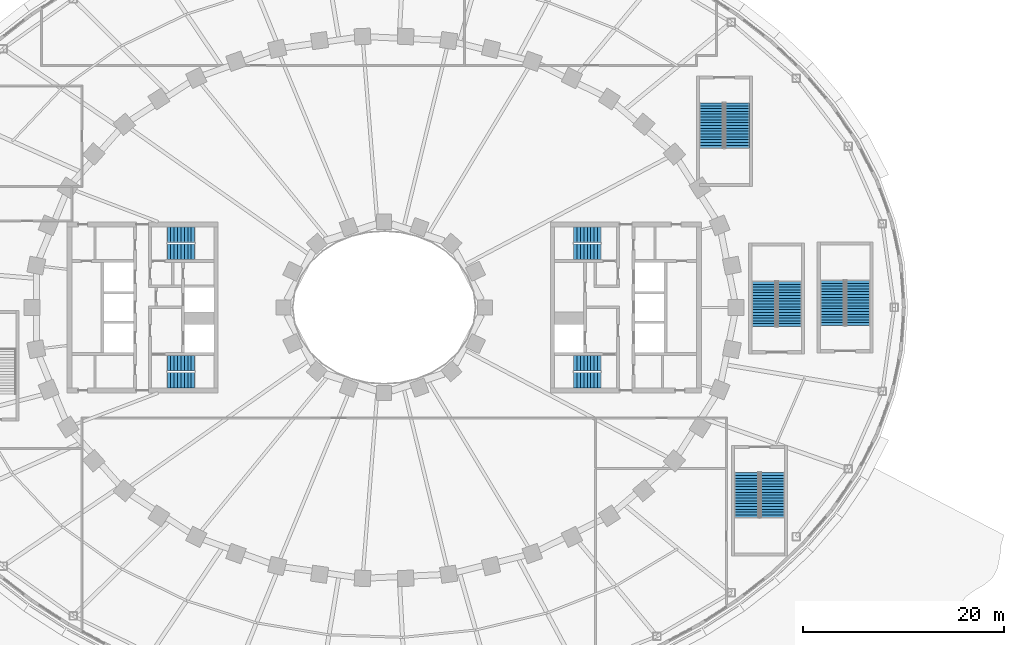
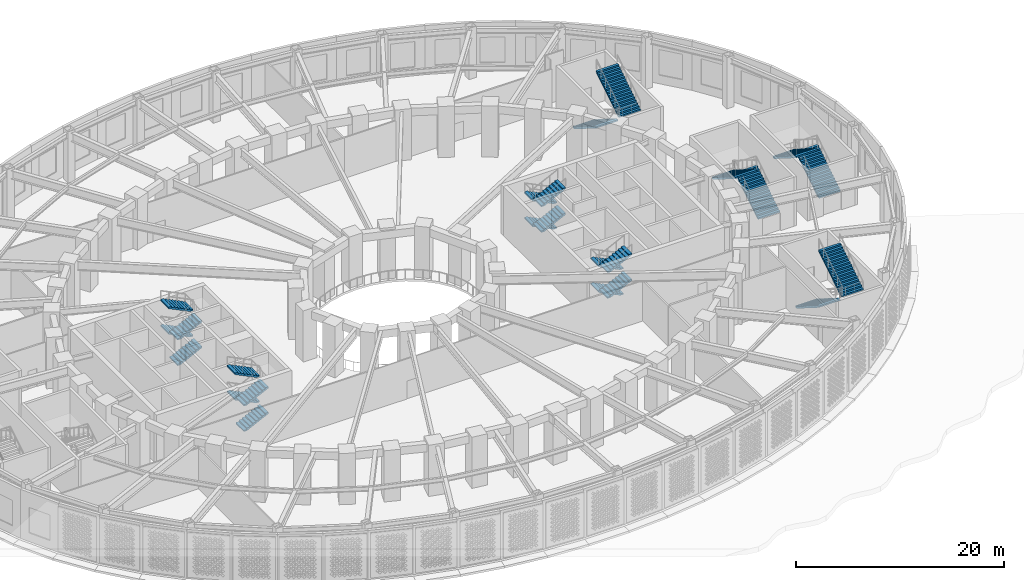
# One storey, part 28 of 74: 24 stair flights, 8 elements without a shape of their own.
"""IFC4 building model written with IfcOpenShell, lengths in metres."""

import ifcopenshell
import ifcopenshell.guid

model = None  # the IFC model being written
_history = None  # IfcOwnerHistory: only IFC2X3 demands one
_inside = {}  # id of a spatial element -> (the spatial element, [elements in it])
_under = {}  # id of a project, library or spatial element -> (it, [spatial elements below it])
_declared = {}  # id of a project -> (the project, [libraries it declares])
_typed = {}  # id of a type object -> (the type object, [elements of that type])
_made_of = {}  # id of a material, layer set ... -> (it, [elements and type objects made of it])


def new_model(schema):
    """Start an empty IFC model of exactly this schema.

    Asked for "IFC4X3", IfcOpenShell would pick the latest addendum, in which some entities
    have other attributes; the version numbers below select the first issue.
    IFC2X3 requires an IfcOwnerHistory on every rooted entity: one is made here for all.
    """
    global model, _history
    if schema == "IFC4X3":
        model = ifcopenshell.file(schema_version=(4, 3, 0, 0))
    else:
        model = ifcopenshell.file(schema=schema)
    _inside.clear()
    _under.clear()
    _declared.clear()
    _typed.clear()
    _made_of.clear()
    _history = None
    if model.schema == "IFC2X3":
        org = make("IfcOrganization", Name="unknown")
        user = make(
            "IfcPersonAndOrganization",
            ThePerson=make("IfcPerson", FamilyName="unknown"),
            TheOrganization=org,
        )
        app = make(
            "IfcApplication",
            ApplicationDeveloper=org,
            Version="unknown",
            ApplicationFullName="unknown",
            ApplicationIdentifier="unknown",
        )
        _history = make(
            "IfcOwnerHistory",
            OwningUser=user,
            OwningApplication=app,
            ChangeAction="ADDED",
            CreationDate=0,
        )
    return model


def make(cls, **values):
    """One entity of the class cls with the attributes given. An attribute that is None is left unset."""
    return model.create_entity(
        cls, **{name: value for name, value in values.items() if value is not None}
    )


def rooted(cls, **values):
    """An entity with a GlobalId (a new one), such as an element, a storey or a relation."""
    return make(cls, GlobalId=ifcopenshell.guid.new(), OwnerHistory=_history, **values)


def si_unit(unit_type, name, prefix=None):
    """IfcSIUnit, for example si_unit("LENGTHUNIT", "METRE", prefix="MILLI")."""
    return make("IfcSIUnit", UnitType=unit_type, Prefix=prefix, Name=name)


def assignment(units):
    """IfcUnitAssignment: the units of a project."""
    return None if units is None else make("IfcUnitAssignment", Units=units)


def point(xyz):
    """IfcCartesianPoint."""
    return None if xyz is None else make("IfcCartesianPoint", Coordinates=xyz)


def direction(xyz):
    """IfcDirection."""
    return None if xyz is None else make("IfcDirection", DirectionRatios=xyz)


def frame(location, z_axis=None, x_axis=None):
    """IfcAxis2Placement3D, a coordinate frame: its origin and axes. An axis left out is left unset."""
    return make(
        "IfcAxis2Placement3D",
        Location=point(location),
        Axis=direction(z_axis),
        RefDirection=direction(x_axis),
    )


def origin():
    """The frame at (0, 0, 0) with its axes left unset."""
    return frame((0.0, 0.0, 0.0))


def place(relative_to, where):
    """IfcLocalPlacement: puts the frame where relative to a parent placement (None: the world)."""
    return make(
        "IfcLocalPlacement", PlacementRelTo=relative_to, RelativePlacement=where
    )


def context(
    kind, dimensions, precision=None, world=None, true_north=None, identifier=None
):
    """IfcGeometricRepresentationContext, for example the 3D "Model" context."""
    return make(
        "IfcGeometricRepresentationContext",
        ContextIdentifier=identifier,
        ContextType=kind,
        CoordinateSpaceDimension=dimensions,
        Precision=precision,
        WorldCoordinateSystem=world,
        TrueNorth=true_north,
    )


def subcontext(parent, identifier, kind, view, scale=None):
    """IfcGeometricRepresentationSubContext, for example "Body" below "Model"."""
    return make(
        "IfcGeometricRepresentationSubContext",
        ContextIdentifier=identifier,
        ContextType=kind,
        ParentContext=parent,
        TargetScale=scale,
        TargetView=view,
    )


def project(units=None, contexts=None):
    """IfcProject with its units and contexts."""
    return rooted(
        "IfcProject",
        Name="project",
        RepresentationContexts=contexts,
        UnitsInContext=assignment(units),
    )


def spatial(cls, under=None, at=None, **own):
    """A site, building, storey or space (cls), placed at a placement, below another one or the project."""
    s = rooted(cls, ObjectPlacement=at, **own)
    if under is not None:
        _under.setdefault(under.id(), (under, []))[1].append(s)
    return s


def polyline(points):
    """IfcPolyline through the points."""
    return make("IfcPolyline", Points=[point(p) for p in points])


def outline(outer, holes=None, kind="AREA"):
    """IfcArbitraryClosedProfileDef: a profile drawn as a closed curve; with holes, ...WithVoids."""
    if holes is None:
        return make("IfcArbitraryClosedProfileDef", ProfileType=kind, OuterCurve=outer)
    return make(
        "IfcArbitraryProfileDefWithVoids",
        ProfileType=kind,
        OuterCurve=outer,
        InnerCurves=holes,
    )


def extrude(swept, where, along, depth):
    """IfcExtrudedAreaSolid: the profile swept, set in the frame where, extruded along a direction by depth."""
    return make(
        "IfcExtrudedAreaSolid",
        SweptArea=swept,
        Position=where,
        ExtrudedDirection=direction(along),
        Depth=depth,
    )


def shape(context_of_items, identifier, shape_type, items):
    """IfcShapeRepresentation: the items that make up one representation, for example the "Body"."""
    return make(
        "IfcShapeRepresentation",
        ContextOfItems=context_of_items,
        RepresentationIdentifier=identifier,
        RepresentationType=shape_type,
        Items=items,
    )


def material(Name=None, Category=None):
    """IfcMaterial."""
    return make("IfcMaterial", Name=Name, Category=Category)


def made_of(thing, what):
    """Note that an element or type object is made of a material, layer set ...; save() writes the relation."""
    if what is not None:
        _made_of.setdefault(what.id(), (what, []))[1].append(thing)
    return thing


def type_object(cls, material=None, **own):
    """A type object (cls), such as IfcWallType, which elements share."""
    return made_of(rooted(cls, **own), material)


def element(
    cls,
    number,
    at=None,
    inside=None,
    cuts=None,
    type_object=None,
    material=None,
    context=None,
    identifier="Body",
    shape_type=None,
    held_by="IfcProductDefinitionShape",
    body=None,
    shapes=None,
    **own,
):
    """One element of the class cls, such as IfcWall. Its Tag is "e" and its number.

    at: its placement. inside: the storey or other place that contains it. cuts: it is an
    opening in that element (IfcRelVoidsElement). A single representation is given by context,
    identifier, shape_type and body (its items); several are given by shapes. held_by: the class
    of the entity that holds the representations. save() writes the other relations.
    """
    e = rooted(cls, Tag="e%d" % number, ObjectPlacement=at, **own)
    if body is not None:
        shapes = [shape(context, identifier, shape_type, body)]
    if shapes is not None:
        e.Representation = make(held_by, Representations=shapes)
    if inside is not None:
        _inside.setdefault(inside.id(), (inside, []))[1].append(e)
    if cuts is not None:
        rooted(
            "IfcRelVoidsElement", RelatingBuildingElement=cuts, RelatedOpeningElement=e
        )
    if type_object is not None:
        _typed.setdefault(type_object.id(), (type_object, []))[1].append(e)
    return made_of(e, material)


def aggregate(whole, parts):
    """IfcRelAggregates: a whole, such as a stair, and the parts it consists of."""
    return rooted("IfcRelAggregates", RelatingObject=whole, RelatedObjects=parts)


def save(model, path):
    """Write the relations noted so far, then the file.

    IfcRelAggregates (storeys below a building ...), IfcRelContainedInSpatialStructure (elements
    in a storey), IfcRelDefinesByType, IfcRelAssociatesMaterial and IfcRelDeclares: one each for
    every whole, place, type object, material and project.
    """
    for whole, parts in _under.values():
        aggregate(whole, parts)
    for where, things in _inside.values():
        rooted(
            "IfcRelContainedInSpatialStructure",
            RelatedElements=things,
            RelatingStructure=where,
        )
    for kind, things in _typed.values():
        rooted("IfcRelDefinesByType", RelatedObjects=things, RelatingType=kind)
    for what, things in _made_of.values():
        rooted("IfcRelAssociatesMaterial", RelatedObjects=things, RelatingMaterial=what)
    for by, libraries in _declared.values():
        rooted("IfcRelDeclares", RelatingContext=by, RelatedDefinitions=libraries)
    model.write(path)


model = new_model("IFC4")

# Units and contexts
model_context = context("Model", 3, precision=1e-05, world=origin(), true_north=direction((0.0, 1.0)))
body_context = subcontext(model_context, "Body", "Model", "MODEL_VIEW")
ifc_project = project(units=[si_unit("LENGTHUNIT", "METRE"), si_unit("AREAUNIT", "SQUARE_METRE"), si_unit("VOLUMEUNIT", "CUBIC_METRE"), si_unit("PLANEANGLEUNIT", "RADIAN"), si_unit("MASSUNIT", "GRAM", prefix="KILO")], contexts=[model_context])

# Site, building, storey
site_placement = place(None, origin())
site = spatial("IfcSite", under=ifc_project, at=site_placement, CompositionType="ELEMENT")
building_placement = place(site_placement, origin())
building = spatial("IfcBuilding", under=site, at=building_placement, Name="Noorbagh Ring Tower", CompositionType="ELEMENT")
storey_placement = place(building_placement, frame((0.0, 0.0, 7.5)))
storey = spatial("IfcBuildingStorey", under=building, at=storey_placement, Name="L01", CompositionType="ELEMENT", Elevation=7.5)

# Stair, stair flights
ifc_material_1 = material(Name="Concrete C40/50", Category="concrete")
stair_type_1 = type_object("IfcStairType", Name="CORE-STAIR", PredefinedType="HALF_TURN_STAIR", material=ifc_material_1)
stair_1_placement = place(storey_placement, origin())
stair_1 = element("IfcStair", 1, at=stair_1_placement, inside=storey, type_object=stair_type_1, Name="L01 Exit stair ST1", PredefinedType="HALF_TURN_STAIR")
ifc_material_2 = material(Name="Concrete C40/50", Category="concrete")
stair_flight_type_1 = type_object("IfcStairFlightType", Name="CORE-STAIR-FLIGHT", PredefinedType="STRAIGHT", material=ifc_material_2)
stair_flight_1_placement = place(storey_placement, frame((-21.530029296875, 5.52490234375, 0.0), z_axis=(0.0, 0.0, 1.0), x_axis=(1.0, 0.0, 0.0)))
stair_flight_1 = element("IfcStairFlight", 2, at=stair_flight_1_placement, type_object=stair_flight_type_1, Name="ST1 flight 1", NumberOfRisers=9, NumberOfTreads=8, PredefinedType="STRAIGHT", RiserHeight=0.166666667, TreadLength=0.34, context=body_context, shape_type="SweptSolid", body=[
    extrude(outline(polyline([(0.0, 0.0), (0.0, 0.166748046875), (0.340087890625, 0.166748046875), (0.340087890625, 0.333251953125), (0.679931640625, 0.333251953125), (0.679931640625, 0.5), (1.02001953125, 0.5), (1.02001953125, 0.666748046875), (1.360107421875, 0.666748046875), (1.360107421875, 0.833251953125), (1.699951171875, 0.833251953125), (1.699951171875, 1.0), (2.0400390625, 1.0), (2.0400390625, 1.166748046875), (2.3798828125, 1.166748046875), (2.3798828125, 1.333251953125), (2.719970703125, 1.333251953125), (2.719970703125, 1.5), (2.719970703125, 1.16650390625), (0.340576171875, 0.0), (0.0, 0.0)])), frame((0.0, 0.77490234375, 0.0), z_axis=(0.0, -1.0, 0.0), x_axis=(1.0, 0.0, 0.0)), (0.0, 0.0, 1.0), 1.550048828125),
])
stair_flight_2_placement = place(storey_placement, frame((-18.81005859375, 7.22509765625, 1.5), z_axis=(0.0, 0.0, 1.0), x_axis=(-1.0, 0.0, 0.0)))
stair_flight_2 = element("IfcStairFlight", 3, at=stair_flight_2_placement, type_object=stair_flight_type_1, Name="ST1 flight 2", NumberOfRisers=9, NumberOfTreads=8, PredefinedType="STRAIGHT", RiserHeight=0.166666667, TreadLength=0.34, context=body_context, shape_type="SweptSolid", body=[
    extrude(outline(polyline([(0.0, 0.0), (0.0, 0.166748046875), (0.340087890625, 0.166748046875), (0.340087890625, 0.333251953125), (0.679931640625, 0.333251953125), (0.679931640625, 0.5), (1.02001953125, 0.5), (1.02001953125, 0.666748046875), (1.360107421875, 0.666748046875), (1.360107421875, 0.833251953125), (1.699951171875, 0.833251953125), (1.699951171875, 1.0), (2.0400390625, 1.0), (2.0400390625, 1.166748046875), (2.3798828125, 1.166748046875), (2.3798828125, 1.333251953125), (2.719970703125, 1.333251953125), (2.719970703125, 1.5), (2.719970703125, 1.16650390625), (0.340576171875, 0.0), (0.0, 0.0)])), frame((0.0, 0.77490234375, 0.0), z_axis=(0.0, -1.0, 0.0), x_axis=(1.0, 0.0, 0.0)), (0.0, 0.0, 1.0), 1.550048828125),
])
stair_flight_3_placement = place(storey_placement, frame((-21.530029296875, 5.52490234375, 3.0), z_axis=(0.0, 0.0, 1.0), x_axis=(1.0, 0.0, 0.0)))
stair_flight_3 = element("IfcStairFlight", 4, at=stair_flight_3_placement, type_object=stair_flight_type_1, Name="ST1 flight 3", NumberOfRisers=9, NumberOfTreads=8, PredefinedType="STRAIGHT", RiserHeight=0.166666667, TreadLength=0.34, context=body_context, shape_type="SweptSolid", body=[
    extrude(outline(polyline([(0.0, 0.0), (0.0, 0.166748046875), (0.340087890625, 0.166748046875), (0.340087890625, 0.333251953125), (0.679931640625, 0.333251953125), (0.679931640625, 0.5), (1.02001953125, 0.5), (1.02001953125, 0.666748046875), (1.360107421875, 0.666748046875), (1.360107421875, 0.833251953125), (1.699951171875, 0.833251953125), (1.699951171875, 1.0), (2.0400390625, 1.0), (2.0400390625, 1.166748046875), (2.3798828125, 1.166748046875), (2.3798828125, 1.333251953125), (2.719970703125, 1.333251953125), (2.719970703125, 1.5), (2.719970703125, 1.16650390625), (0.340576171875, 0.0), (0.0, 0.0)])), frame((0.0, 0.77490234375, 0.0), z_axis=(0.0, -1.0, 0.0), x_axis=(1.0, 0.0, 0.0)), (0.0, 0.0, 1.0), 1.550048828125),
])
stair_flight_4_placement = place(storey_placement, frame((-18.81005859375, 7.22509765625, 4.5), z_axis=(0.0, 0.0, 1.0), x_axis=(-1.0, 0.0, 0.0)))
stair_flight_4 = element("IfcStairFlight", 5, at=stair_flight_4_placement, type_object=stair_flight_type_1, Name="ST1 flight 4", NumberOfRisers=9, NumberOfTreads=8, PredefinedType="STRAIGHT", RiserHeight=0.166666667, TreadLength=0.34, context=body_context, shape_type="SweptSolid", body=[
    extrude(outline(polyline([(0.0, 0.0), (0.0, 0.166748046875), (0.340087890625, 0.166748046875), (0.340087890625, 0.333251953125), (0.679931640625, 0.333251953125), (0.679931640625, 0.5), (1.02001953125, 0.5), (1.02001953125, 0.666748046875), (1.360107421875, 0.666748046875), (1.360107421875, 0.833251953125), (1.699951171875, 0.833251953125), (1.699951171875, 1.0), (2.0400390625, 1.0), (2.0400390625, 1.166748046875), (2.3798828125, 1.166748046875), (2.3798828125, 1.333251953125), (2.719970703125, 1.333251953125), (2.719970703125, 1.5), (2.719970703125, 1.16650390625), (0.340576171875, 0.0), (0.0, 0.0)])), frame((0.0, 0.77490234375, 0.0), z_axis=(0.0, -1.0, 0.0), x_axis=(1.0, 0.0, 0.0)), (0.0, 0.0, 1.0), 1.550048828125),
])
aggregate(stair_1, [stair_flight_1, stair_flight_2, stair_flight_3, stair_flight_4])

stair_2_placement = place(storey_placement, origin())
stair_2 = element("IfcStair", 6, at=stair_2_placement, inside=storey, type_object=stair_type_1, Name="L01 Exit stair ST2", PredefinedType="HALF_TURN_STAIR")
stair_flight_5_placement = place(storey_placement, frame((-21.530029296875, -7.22509765625, 0.0), z_axis=(0.0, 0.0, 1.0), x_axis=(1.0, 0.0, 0.0)))
stair_flight_5 = element("IfcStairFlight", 7, at=stair_flight_5_placement, type_object=stair_flight_type_1, Name="ST2 flight 1", NumberOfRisers=9, NumberOfTreads=8, PredefinedType="STRAIGHT", RiserHeight=0.166666667, TreadLength=0.34, context=body_context, shape_type="SweptSolid", body=[
    extrude(outline(polyline([(0.0, 0.0), (0.0, 0.166748046875), (0.340087890625, 0.166748046875), (0.340087890625, 0.333251953125), (0.679931640625, 0.333251953125), (0.679931640625, 0.5), (1.02001953125, 0.5), (1.02001953125, 0.666748046875), (1.360107421875, 0.666748046875), (1.360107421875, 0.833251953125), (1.699951171875, 0.833251953125), (1.699951171875, 1.0), (2.0400390625, 1.0), (2.0400390625, 1.166748046875), (2.3798828125, 1.166748046875), (2.3798828125, 1.333251953125), (2.719970703125, 1.333251953125), (2.719970703125, 1.5), (2.719970703125, 1.16650390625), (0.340576171875, 0.0), (0.0, 0.0)])), frame((0.0, 0.77490234375, 0.0), z_axis=(0.0, -1.0, 0.0), x_axis=(1.0, 0.0, 0.0)), (0.0, 0.0, 1.0), 1.550048828125),
])
stair_flight_6_placement = place(storey_placement, frame((-18.81005859375, -5.52490234375, 1.5), z_axis=(0.0, 0.0, 1.0), x_axis=(-1.0, 0.0, 0.0)))
stair_flight_6 = element("IfcStairFlight", 8, at=stair_flight_6_placement, type_object=stair_flight_type_1, Name="ST2 flight 2", NumberOfRisers=9, NumberOfTreads=8, PredefinedType="STRAIGHT", RiserHeight=0.166666667, TreadLength=0.34, context=body_context, shape_type="SweptSolid", body=[
    extrude(outline(polyline([(0.0, 0.0), (0.0, 0.166748046875), (0.340087890625, 0.166748046875), (0.340087890625, 0.333251953125), (0.679931640625, 0.333251953125), (0.679931640625, 0.5), (1.02001953125, 0.5), (1.02001953125, 0.666748046875), (1.360107421875, 0.666748046875), (1.360107421875, 0.833251953125), (1.699951171875, 0.833251953125), (1.699951171875, 1.0), (2.0400390625, 1.0), (2.0400390625, 1.166748046875), (2.3798828125, 1.166748046875), (2.3798828125, 1.333251953125), (2.719970703125, 1.333251953125), (2.719970703125, 1.5), (2.719970703125, 1.16650390625), (0.340576171875, 0.0), (0.0, 0.0)])), frame((0.0, 0.77490234375, 0.0), z_axis=(0.0, -1.0, 0.0), x_axis=(1.0, 0.0, 0.0)), (0.0, 0.0, 1.0), 1.550048828125),
])
stair_flight_7_placement = place(storey_placement, frame((-21.530029296875, -7.22509765625, 3.0), z_axis=(0.0, 0.0, 1.0), x_axis=(1.0, 0.0, 0.0)))
stair_flight_7 = element("IfcStairFlight", 9, at=stair_flight_7_placement, type_object=stair_flight_type_1, Name="ST2 flight 3", NumberOfRisers=9, NumberOfTreads=8, PredefinedType="STRAIGHT", RiserHeight=0.166666667, TreadLength=0.34, context=body_context, shape_type="SweptSolid", body=[
    extrude(outline(polyline([(0.0, 0.0), (0.0, 0.166748046875), (0.340087890625, 0.166748046875), (0.340087890625, 0.333251953125), (0.679931640625, 0.333251953125), (0.679931640625, 0.5), (1.02001953125, 0.5), (1.02001953125, 0.666748046875), (1.360107421875, 0.666748046875), (1.360107421875, 0.833251953125), (1.699951171875, 0.833251953125), (1.699951171875, 1.0), (2.0400390625, 1.0), (2.0400390625, 1.166748046875), (2.3798828125, 1.166748046875), (2.3798828125, 1.333251953125), (2.719970703125, 1.333251953125), (2.719970703125, 1.5), (2.719970703125, 1.16650390625), (0.340576171875, 0.0), (0.0, 0.0)])), frame((0.0, 0.77490234375, 0.0), z_axis=(0.0, -1.0, 0.0), x_axis=(1.0, 0.0, 0.0)), (0.0, 0.0, 1.0), 1.550048828125),
])
stair_flight_8_placement = place(storey_placement, frame((-18.81005859375, -5.52490234375, 4.5), z_axis=(0.0, 0.0, 1.0), x_axis=(-1.0, 0.0, 0.0)))
stair_flight_8 = element("IfcStairFlight", 10, at=stair_flight_8_placement, type_object=stair_flight_type_1, Name="ST2 flight 4", NumberOfRisers=9, NumberOfTreads=8, PredefinedType="STRAIGHT", RiserHeight=0.166666667, TreadLength=0.34, context=body_context, shape_type="SweptSolid", body=[
    extrude(outline(polyline([(0.0, 0.0), (0.0, 0.166748046875), (0.340087890625, 0.166748046875), (0.340087890625, 0.333251953125), (0.679931640625, 0.333251953125), (0.679931640625, 0.5), (1.02001953125, 0.5), (1.02001953125, 0.666748046875), (1.360107421875, 0.666748046875), (1.360107421875, 0.833251953125), (1.699951171875, 0.833251953125), (1.699951171875, 1.0), (2.0400390625, 1.0), (2.0400390625, 1.166748046875), (2.3798828125, 1.166748046875), (2.3798828125, 1.333251953125), (2.719970703125, 1.333251953125), (2.719970703125, 1.5), (2.719970703125, 1.16650390625), (0.340576171875, 0.0), (0.0, 0.0)])), frame((0.0, 0.77490234375, 0.0), z_axis=(0.0, -1.0, 0.0), x_axis=(1.0, 0.0, 0.0)), (0.0, 0.0, 1.0), 1.550048828125),
])
aggregate(stair_2, [stair_flight_5, stair_flight_6, stair_flight_7, stair_flight_8])

stair_3_placement = place(storey_placement, origin())
stair_3 = element("IfcStair", 11, at=stair_3_placement, inside=storey, type_object=stair_type_1, Name="L01 Exit stair ST3", PredefinedType="HALF_TURN_STAIR")
stair_flight_9_placement = place(storey_placement, frame((21.530029296875, 7.22509765625, 0.0), z_axis=(0.0, 0.0, 1.0), x_axis=(-1.0, 0.0, 0.0)))
stair_flight_9 = element("IfcStairFlight", 12, at=stair_flight_9_placement, type_object=stair_flight_type_1, Name="ST3 flight 1", NumberOfRisers=9, NumberOfTreads=8, PredefinedType="STRAIGHT", RiserHeight=0.166666667, TreadLength=0.34, context=body_context, shape_type="SweptSolid", body=[
    extrude(outline(polyline([(0.0, 0.0), (0.0, 0.166748046875), (0.340087890625, 0.166748046875), (0.340087890625, 0.333251953125), (0.679931640625, 0.333251953125), (0.679931640625, 0.5), (1.02001953125, 0.5), (1.02001953125, 0.666748046875), (1.360107421875, 0.666748046875), (1.360107421875, 0.833251953125), (1.699951171875, 0.833251953125), (1.699951171875, 1.0), (2.0400390625, 1.0), (2.0400390625, 1.166748046875), (2.3798828125, 1.166748046875), (2.3798828125, 1.333251953125), (2.719970703125, 1.333251953125), (2.719970703125, 1.5), (2.719970703125, 1.16650390625), (0.340576171875, 0.0), (0.0, 0.0)])), frame((0.0, 0.77490234375, 0.0), z_axis=(0.0, -1.0, 0.0), x_axis=(1.0, 0.0, 0.0)), (0.0, 0.0, 1.0), 1.550048828125),
])
stair_flight_10_placement = place(storey_placement, frame((18.81005859375, 5.52490234375, 1.5), z_axis=(0.0, 0.0, 1.0), x_axis=(1.0, 0.0, 0.0)))
stair_flight_10 = element("IfcStairFlight", 13, at=stair_flight_10_placement, type_object=stair_flight_type_1, Name="ST3 flight 2", NumberOfRisers=9, NumberOfTreads=8, PredefinedType="STRAIGHT", RiserHeight=0.166666667, TreadLength=0.34, context=body_context, shape_type="SweptSolid", body=[
    extrude(outline(polyline([(0.0, 0.0), (0.0, 0.166748046875), (0.340087890625, 0.166748046875), (0.340087890625, 0.333251953125), (0.679931640625, 0.333251953125), (0.679931640625, 0.5), (1.02001953125, 0.5), (1.02001953125, 0.666748046875), (1.360107421875, 0.666748046875), (1.360107421875, 0.833251953125), (1.699951171875, 0.833251953125), (1.699951171875, 1.0), (2.0400390625, 1.0), (2.0400390625, 1.166748046875), (2.3798828125, 1.166748046875), (2.3798828125, 1.333251953125), (2.719970703125, 1.333251953125), (2.719970703125, 1.5), (2.719970703125, 1.16650390625), (0.340576171875, 0.0), (0.0, 0.0)])), frame((0.0, 0.77490234375, 0.0), z_axis=(0.0, -1.0, 0.0), x_axis=(1.0, 0.0, 0.0)), (0.0, 0.0, 1.0), 1.550048828125),
])
stair_flight_11_placement = place(storey_placement, frame((21.530029296875, 7.22509765625, 3.0), z_axis=(0.0, 0.0, 1.0), x_axis=(-1.0, 0.0, 0.0)))
stair_flight_11 = element("IfcStairFlight", 14, at=stair_flight_11_placement, type_object=stair_flight_type_1, Name="ST3 flight 3", NumberOfRisers=9, NumberOfTreads=8, PredefinedType="STRAIGHT", RiserHeight=0.166666667, TreadLength=0.34, context=body_context, shape_type="SweptSolid", body=[
    extrude(outline(polyline([(0.0, 0.0), (0.0, 0.166748046875), (0.340087890625, 0.166748046875), (0.340087890625, 0.333251953125), (0.679931640625, 0.333251953125), (0.679931640625, 0.5), (1.02001953125, 0.5), (1.02001953125, 0.666748046875), (1.360107421875, 0.666748046875), (1.360107421875, 0.833251953125), (1.699951171875, 0.833251953125), (1.699951171875, 1.0), (2.0400390625, 1.0), (2.0400390625, 1.166748046875), (2.3798828125, 1.166748046875), (2.3798828125, 1.333251953125), (2.719970703125, 1.333251953125), (2.719970703125, 1.5), (2.719970703125, 1.16650390625), (0.340576171875, 0.0), (0.0, 0.0)])), frame((0.0, 0.77490234375, 0.0), z_axis=(0.0, -1.0, 0.0), x_axis=(1.0, 0.0, 0.0)), (0.0, 0.0, 1.0), 1.550048828125),
])
stair_flight_12_placement = place(storey_placement, frame((18.81005859375, 5.52490234375, 4.5), z_axis=(0.0, 0.0, 1.0), x_axis=(1.0, 0.0, 0.0)))
stair_flight_12 = element("IfcStairFlight", 15, at=stair_flight_12_placement, type_object=stair_flight_type_1, Name="ST3 flight 4", NumberOfRisers=9, NumberOfTreads=8, PredefinedType="STRAIGHT", RiserHeight=0.166666667, TreadLength=0.34, context=body_context, shape_type="SweptSolid", body=[
    extrude(outline(polyline([(0.0, 0.0), (0.0, 0.166748046875), (0.340087890625, 0.166748046875), (0.340087890625, 0.333251953125), (0.679931640625, 0.333251953125), (0.679931640625, 0.5), (1.02001953125, 0.5), (1.02001953125, 0.666748046875), (1.360107421875, 0.666748046875), (1.360107421875, 0.833251953125), (1.699951171875, 0.833251953125), (1.699951171875, 1.0), (2.0400390625, 1.0), (2.0400390625, 1.166748046875), (2.3798828125, 1.166748046875), (2.3798828125, 1.333251953125), (2.719970703125, 1.333251953125), (2.719970703125, 1.5), (2.719970703125, 1.16650390625), (0.340576171875, 0.0), (0.0, 0.0)])), frame((0.0, 0.77490234375, 0.0), z_axis=(0.0, -1.0, 0.0), x_axis=(1.0, 0.0, 0.0)), (0.0, 0.0, 1.0), 1.550048828125),
])
aggregate(stair_3, [stair_flight_9, stair_flight_10, stair_flight_11, stair_flight_12])

stair_4_placement = place(storey_placement, origin())
stair_4 = element("IfcStair", 16, at=stair_4_placement, inside=storey, type_object=stair_type_1, Name="L01 Exit stair ST4", PredefinedType="HALF_TURN_STAIR")
stair_flight_13_placement = place(storey_placement, frame((21.530029296875, -5.52490234375, 0.0), z_axis=(0.0, 0.0, 1.0), x_axis=(-1.0, 0.0, 0.0)))
stair_flight_13 = element("IfcStairFlight", 17, at=stair_flight_13_placement, type_object=stair_flight_type_1, Name="ST4 flight 1", NumberOfRisers=9, NumberOfTreads=8, PredefinedType="STRAIGHT", RiserHeight=0.166666667, TreadLength=0.34, context=body_context, shape_type="SweptSolid", body=[
    extrude(outline(polyline([(0.0, 0.0), (0.0, 0.166748046875), (0.340087890625, 0.166748046875), (0.340087890625, 0.333251953125), (0.679931640625, 0.333251953125), (0.679931640625, 0.5), (1.02001953125, 0.5), (1.02001953125, 0.666748046875), (1.360107421875, 0.666748046875), (1.360107421875, 0.833251953125), (1.699951171875, 0.833251953125), (1.699951171875, 1.0), (2.0400390625, 1.0), (2.0400390625, 1.166748046875), (2.3798828125, 1.166748046875), (2.3798828125, 1.333251953125), (2.719970703125, 1.333251953125), (2.719970703125, 1.5), (2.719970703125, 1.16650390625), (0.340576171875, 0.0), (0.0, 0.0)])), frame((0.0, 0.77490234375, 0.0), z_axis=(0.0, -1.0, 0.0), x_axis=(1.0, 0.0, 0.0)), (0.0, 0.0, 1.0), 1.550048828125),
])
stair_flight_14_placement = place(storey_placement, frame((18.81005859375, -7.22509765625, 1.5), z_axis=(0.0, 0.0, 1.0), x_axis=(1.0, 0.0, 0.0)))
stair_flight_14 = element("IfcStairFlight", 18, at=stair_flight_14_placement, type_object=stair_flight_type_1, Name="ST4 flight 2", NumberOfRisers=9, NumberOfTreads=8, PredefinedType="STRAIGHT", RiserHeight=0.166666667, TreadLength=0.34, context=body_context, shape_type="SweptSolid", body=[
    extrude(outline(polyline([(0.0, 0.0), (0.0, 0.166748046875), (0.340087890625, 0.166748046875), (0.340087890625, 0.333251953125), (0.679931640625, 0.333251953125), (0.679931640625, 0.5), (1.02001953125, 0.5), (1.02001953125, 0.666748046875), (1.360107421875, 0.666748046875), (1.360107421875, 0.833251953125), (1.699951171875, 0.833251953125), (1.699951171875, 1.0), (2.0400390625, 1.0), (2.0400390625, 1.166748046875), (2.3798828125, 1.166748046875), (2.3798828125, 1.333251953125), (2.719970703125, 1.333251953125), (2.719970703125, 1.5), (2.719970703125, 1.16650390625), (0.340576171875, 0.0), (0.0, 0.0)])), frame((0.0, 0.77490234375, 0.0), z_axis=(0.0, -1.0, 0.0), x_axis=(1.0, 0.0, 0.0)), (0.0, 0.0, 1.0), 1.550048828125),
])
stair_flight_15_placement = place(storey_placement, frame((21.530029296875, -5.52490234375, 3.0), z_axis=(0.0, 0.0, 1.0), x_axis=(-1.0, 0.0, 0.0)))
stair_flight_15 = element("IfcStairFlight", 19, at=stair_flight_15_placement, type_object=stair_flight_type_1, Name="ST4 flight 3", NumberOfRisers=9, NumberOfTreads=8, PredefinedType="STRAIGHT", RiserHeight=0.166666667, TreadLength=0.34, context=body_context, shape_type="SweptSolid", body=[
    extrude(outline(polyline([(0.0, 0.0), (0.0, 0.166748046875), (0.340087890625, 0.166748046875), (0.340087890625, 0.333251953125), (0.679931640625, 0.333251953125), (0.679931640625, 0.5), (1.02001953125, 0.5), (1.02001953125, 0.666748046875), (1.360107421875, 0.666748046875), (1.360107421875, 0.833251953125), (1.699951171875, 0.833251953125), (1.699951171875, 1.0), (2.0400390625, 1.0), (2.0400390625, 1.166748046875), (2.3798828125, 1.166748046875), (2.3798828125, 1.333251953125), (2.719970703125, 1.333251953125), (2.719970703125, 1.5), (2.719970703125, 1.16650390625), (0.340576171875, 0.0), (0.0, 0.0)])), frame((0.0, 0.77490234375, 0.0), z_axis=(0.0, -1.0, 0.0), x_axis=(1.0, 0.0, 0.0)), (0.0, 0.0, 1.0), 1.550048828125),
])
stair_flight_16_placement = place(storey_placement, frame((18.81005859375, -7.22509765625, 4.5), z_axis=(0.0, 0.0, 1.0), x_axis=(1.0, 0.0, 0.0)))
stair_flight_16 = element("IfcStairFlight", 20, at=stair_flight_16_placement, type_object=stair_flight_type_1, Name="ST4 flight 4", NumberOfRisers=9, NumberOfTreads=8, PredefinedType="STRAIGHT", RiserHeight=0.166666667, TreadLength=0.34, context=body_context, shape_type="SweptSolid", body=[
    extrude(outline(polyline([(0.0, 0.0), (0.0, 0.166748046875), (0.340087890625, 0.166748046875), (0.340087890625, 0.333251953125), (0.679931640625, 0.333251953125), (0.679931640625, 0.5), (1.02001953125, 0.5), (1.02001953125, 0.666748046875), (1.360107421875, 0.666748046875), (1.360107421875, 0.833251953125), (1.699951171875, 0.833251953125), (1.699951171875, 1.0), (2.0400390625, 1.0), (2.0400390625, 1.166748046875), (2.3798828125, 1.166748046875), (2.3798828125, 1.333251953125), (2.719970703125, 1.333251953125), (2.719970703125, 1.5), (2.719970703125, 1.16650390625), (0.340576171875, 0.0), (0.0, 0.0)])), frame((0.0, 0.77490234375, 0.0), z_axis=(0.0, -1.0, 0.0), x_axis=(1.0, 0.0, 0.0)), (0.0, 0.0, 1.0), 1.550048828125),
])
aggregate(stair_4, [stair_flight_13, stair_flight_14, stair_flight_15, stair_flight_16])

ifc_material_3 = material(Name="Concrete C40/50", Category="concrete")
stair_type_2 = type_object("IfcStairType", Name="GND-STAIR", PredefinedType="HALF_TURN_STAIR", material=ifc_material_3)
stair_5_placement = place(storey_placement, origin())
stair_5 = element("IfcStair", 21, at=stair_5_placement, inside=storey, type_object=stair_type_2, Name="L01 exit stair ST-P2", PredefinedType="HALF_TURN_STAIR")
ifc_material_4 = material(Name="Concrete C40/50", Category="concrete")
stair_flight_type_2 = type_object("IfcStairFlightType", Name="GND-STAIR-FLIGHT", PredefinedType="STRAIGHT", material=ifc_material_4)
stair_flight_17_placement = place(storey_placement, frame((40.25, -1.89990234375, 0.0), z_axis=(0.0, 0.0, 1.0), x_axis=(0.0, 1.0, 0.0)))
stair_flight_17 = element("IfcStairFlight", 22, at=stair_flight_17_placement, type_object=stair_flight_type_2, Name="ST-P2 flight 1", NumberOfRisers=17, NumberOfTreads=16, PredefinedType="STRAIGHT", RiserHeight=0.176470588, TreadLength=0.28, context=body_context, shape_type="SweptSolid", body=[
    extrude(outline(polyline([(0.0, 0.0), (0.0, 0.176513671875), (0.280029296875, 0.176513671875), (0.280029296875, 0.35302734375), (0.56005859375, 0.35302734375), (0.56005859375, 0.529296875), (0.840087890625, 0.529296875), (0.840087890625, 0.705810546875), (1.1201171875, 0.705810546875), (1.1201171875, 0.88232421875), (1.39990234375, 0.88232421875), (1.39990234375, 1.058837890625), (1.679931640625, 1.058837890625), (1.679931640625, 1.2353515625), (1.9599609375, 1.2353515625), (1.9599609375, 1.411865234375), (2.239990234375, 1.411865234375), (2.239990234375, 1.588134765625), (2.52001953125, 1.588134765625), (2.52001953125, 1.7646484375), (2.800048828125, 1.7646484375), (2.800048828125, 1.941162109375), (3.080078125, 1.941162109375), (3.080078125, 2.11767578125), (3.360107421875, 2.11767578125), (3.360107421875, 2.294189453125), (3.639892578125, 2.294189453125), (3.639892578125, 2.470703125), (3.919921875, 2.470703125), (3.919921875, 2.64697265625), (4.199951171875, 2.64697265625), (4.199951171875, 2.823486328125), (4.47998046875, 2.823486328125), (4.47998046875, 3.0), (4.47998046875, 2.646240234375), (0.28125, 0.0), (0.0, 0.0)])), frame((0.0, 1.199951171875, 0.0), z_axis=(0.0, -1.0, 0.0), x_axis=(1.0, 0.0, 0.0)), (0.0, 0.0, 1.0), 2.39990234375),
])
stair_flight_18_placement = place(storey_placement, frame((37.699951171875, 2.580078125, 3.0), z_axis=(0.0, 0.0, 1.0), x_axis=(0.0, -1.0, 0.0)))
stair_flight_18 = element("IfcStairFlight", 23, at=stair_flight_18_placement, type_object=stair_flight_type_2, Name="ST-P2 flight 2", NumberOfRisers=17, NumberOfTreads=16, PredefinedType="STRAIGHT", RiserHeight=0.176470588, TreadLength=0.28, context=body_context, shape_type="SweptSolid", body=[
    extrude(outline(polyline([(0.0, 0.0), (0.0, 0.176513671875), (0.280029296875, 0.176513671875), (0.280029296875, 0.35302734375), (0.56005859375, 0.35302734375), (0.56005859375, 0.529296875), (0.840087890625, 0.529296875), (0.840087890625, 0.705810546875), (1.1201171875, 0.705810546875), (1.1201171875, 0.88232421875), (1.39990234375, 0.88232421875), (1.39990234375, 1.058837890625), (1.679931640625, 1.058837890625), (1.679931640625, 1.2353515625), (1.9599609375, 1.2353515625), (1.9599609375, 1.411865234375), (2.239990234375, 1.411865234375), (2.239990234375, 1.588134765625), (2.52001953125, 1.588134765625), (2.52001953125, 1.7646484375), (2.800048828125, 1.7646484375), (2.800048828125, 1.941162109375), (3.080078125, 1.941162109375), (3.080078125, 2.11767578125), (3.360107421875, 2.11767578125), (3.360107421875, 2.294189453125), (3.639892578125, 2.294189453125), (3.639892578125, 2.470703125), (3.919921875, 2.470703125), (3.919921875, 2.64697265625), (4.199951171875, 2.64697265625), (4.199951171875, 2.823486328125), (4.47998046875, 2.823486328125), (4.47998046875, 3.0), (4.47998046875, 2.646240234375), (0.28125, 0.0), (0.0, 0.0)])), frame((0.0, 1.199951171875, 0.0), z_axis=(0.0, -1.0, 0.0), x_axis=(1.0, 0.0, 0.0)), (0.0, 0.0, 1.0), 2.39990234375),
])
aggregate(stair_5, [stair_flight_17, stair_flight_18])

stair_6_placement = place(storey_placement, origin())
stair_6 = element("IfcStair", 24, at=stair_6_placement, inside=storey, type_object=stair_type_2, Name="L01 exit stair ST-P4", PredefinedType="HALF_TURN_STAIR")
stair_flight_19_placement = place(storey_placement, frame((47.050048828125, -1.800048828125, 0.0), z_axis=(0.0, 0.0, 1.0), x_axis=(0.0, 1.0, 0.0)))
stair_flight_19 = element("IfcStairFlight", 25, at=stair_flight_19_placement, type_object=stair_flight_type_2, Name="ST-P4 flight 1", NumberOfRisers=17, NumberOfTreads=16, PredefinedType="STRAIGHT", RiserHeight=0.176470588, TreadLength=0.28, context=body_context, shape_type="SweptSolid", body=[
    extrude(outline(polyline([(0.0, 0.0), (0.0, 0.176513671875), (0.280029296875, 0.176513671875), (0.280029296875, 0.35302734375), (0.56005859375, 0.35302734375), (0.56005859375, 0.529296875), (0.840087890625, 0.529296875), (0.840087890625, 0.705810546875), (1.1201171875, 0.705810546875), (1.1201171875, 0.88232421875), (1.39990234375, 0.88232421875), (1.39990234375, 1.058837890625), (1.679931640625, 1.058837890625), (1.679931640625, 1.2353515625), (1.9599609375, 1.2353515625), (1.9599609375, 1.411865234375), (2.239990234375, 1.411865234375), (2.239990234375, 1.588134765625), (2.52001953125, 1.588134765625), (2.52001953125, 1.7646484375), (2.800048828125, 1.7646484375), (2.800048828125, 1.941162109375), (3.080078125, 1.941162109375), (3.080078125, 2.11767578125), (3.360107421875, 2.11767578125), (3.360107421875, 2.294189453125), (3.639892578125, 2.294189453125), (3.639892578125, 2.470703125), (3.919921875, 2.470703125), (3.919921875, 2.64697265625), (4.199951171875, 2.64697265625), (4.199951171875, 2.823486328125), (4.47998046875, 2.823486328125), (4.47998046875, 3.0), (4.47998046875, 2.646240234375), (0.28125, 0.0), (0.0, 0.0)])), frame((0.0, 1.199951171875, 0.0), z_axis=(0.0, -1.0, 0.0), x_axis=(1.0, 0.0, 0.0)), (0.0, 0.0, 1.0), 2.39990234375),
])
stair_flight_20_placement = place(storey_placement, frame((44.5, 2.679931640625, 3.0), z_axis=(0.0, 0.0, 1.0), x_axis=(0.0, -1.0, 0.0)))
stair_flight_20 = element("IfcStairFlight", 26, at=stair_flight_20_placement, type_object=stair_flight_type_2, Name="ST-P4 flight 2", NumberOfRisers=17, NumberOfTreads=16, PredefinedType="STRAIGHT", RiserHeight=0.176470588, TreadLength=0.28, context=body_context, shape_type="SweptSolid", body=[
    extrude(outline(polyline([(0.0, 0.0), (0.0, 0.176513671875), (0.280029296875, 0.176513671875), (0.280029296875, 0.35302734375), (0.56005859375, 0.35302734375), (0.56005859375, 0.529296875), (0.840087890625, 0.529296875), (0.840087890625, 0.705810546875), (1.1201171875, 0.705810546875), (1.1201171875, 0.88232421875), (1.39990234375, 0.88232421875), (1.39990234375, 1.058837890625), (1.679931640625, 1.058837890625), (1.679931640625, 1.2353515625), (1.9599609375, 1.2353515625), (1.9599609375, 1.411865234375), (2.239990234375, 1.411865234375), (2.239990234375, 1.588134765625), (2.52001953125, 1.588134765625), (2.52001953125, 1.7646484375), (2.800048828125, 1.7646484375), (2.800048828125, 1.941162109375), (3.080078125, 1.941162109375), (3.080078125, 2.11767578125), (3.360107421875, 2.11767578125), (3.360107421875, 2.294189453125), (3.639892578125, 2.294189453125), (3.639892578125, 2.470703125), (3.919921875, 2.470703125), (3.919921875, 2.64697265625), (4.199951171875, 2.64697265625), (4.199951171875, 2.823486328125), (4.47998046875, 2.823486328125), (4.47998046875, 3.0), (4.47998046875, 2.646240234375), (0.28125, 0.0), (0.0, 0.0)])), frame((0.0, 1.199951171875, 0.0), z_axis=(0.0, -1.0, 0.0), x_axis=(1.0, 0.0, 0.0)), (0.0, 0.0, 1.0), 2.39990234375),
])
aggregate(stair_6, [stair_flight_19, stair_flight_20])

stair_7_placement = place(storey_placement, origin())
stair_7 = element("IfcStair", 27, at=stair_7_placement, inside=storey, type_object=stair_type_2, Name="L01 exit stair ST-P5", PredefinedType="HALF_TURN_STAIR")
stair_flight_21_placement = place(storey_placement, frame((32.5, 20.300048828125, 0.0), z_axis=(0.0, 0.0, 1.0), x_axis=(0.0, -1.0, 0.0)))
stair_flight_21 = element("IfcStairFlight", 28, at=stair_flight_21_placement, type_object=stair_flight_type_2, Name="ST-P5 flight 1", NumberOfRisers=17, NumberOfTreads=16, PredefinedType="STRAIGHT", RiserHeight=0.176470588, TreadLength=0.28, context=body_context, shape_type="SweptSolid", body=[
    extrude(outline(polyline([(0.0, 0.0), (0.0, 0.176513671875), (0.280029296875, 0.176513671875), (0.280029296875, 0.35302734375), (0.56005859375, 0.35302734375), (0.56005859375, 0.529296875), (0.840087890625, 0.529296875), (0.840087890625, 0.705810546875), (1.1201171875, 0.705810546875), (1.1201171875, 0.88232421875), (1.39990234375, 0.88232421875), (1.39990234375, 1.058837890625), (1.679931640625, 1.058837890625), (1.679931640625, 1.2353515625), (1.9599609375, 1.2353515625), (1.9599609375, 1.411865234375), (2.239990234375, 1.411865234375), (2.239990234375, 1.588134765625), (2.52001953125, 1.588134765625), (2.52001953125, 1.7646484375), (2.800048828125, 1.7646484375), (2.800048828125, 1.941162109375), (3.080078125, 1.941162109375), (3.080078125, 2.11767578125), (3.360107421875, 2.11767578125), (3.360107421875, 2.294189453125), (3.639892578125, 2.294189453125), (3.639892578125, 2.470703125), (3.919921875, 2.470703125), (3.919921875, 2.64697265625), (4.199951171875, 2.64697265625), (4.199951171875, 2.823486328125), (4.47998046875, 2.823486328125), (4.47998046875, 3.0), (4.47998046875, 2.646240234375), (0.28125, 0.0), (0.0, 0.0)])), frame((0.0, 1.199951171875, 0.0), z_axis=(0.0, -1.0, 0.0), x_axis=(1.0, 0.0, 0.0)), (0.0, 0.0, 1.0), 2.39990234375),
])
stair_flight_22_placement = place(storey_placement, frame((35.050048828125, 15.820068359375, 3.0), z_axis=(0.0, 0.0, 1.0), x_axis=(0.0, 1.0, 0.0)))
stair_flight_22 = element("IfcStairFlight", 29, at=stair_flight_22_placement, type_object=stair_flight_type_2, Name="ST-P5 flight 2", NumberOfRisers=17, NumberOfTreads=16, PredefinedType="STRAIGHT", RiserHeight=0.176470588, TreadLength=0.28, context=body_context, shape_type="SweptSolid", body=[
    extrude(outline(polyline([(0.0, 0.0), (0.0, 0.176513671875), (0.280029296875, 0.176513671875), (0.280029296875, 0.35302734375), (0.56005859375, 0.35302734375), (0.56005859375, 0.529296875), (0.840087890625, 0.529296875), (0.840087890625, 0.705810546875), (1.1201171875, 0.705810546875), (1.1201171875, 0.88232421875), (1.39990234375, 0.88232421875), (1.39990234375, 1.058837890625), (1.679931640625, 1.058837890625), (1.679931640625, 1.2353515625), (1.9599609375, 1.2353515625), (1.9599609375, 1.411865234375), (2.239990234375, 1.411865234375), (2.239990234375, 1.588134765625), (2.52001953125, 1.588134765625), (2.52001953125, 1.7646484375), (2.800048828125, 1.7646484375), (2.800048828125, 1.941162109375), (3.080078125, 1.941162109375), (3.080078125, 2.11767578125), (3.360107421875, 2.11767578125), (3.360107421875, 2.294189453125), (3.639892578125, 2.294189453125), (3.639892578125, 2.470703125), (3.919921875, 2.470703125), (3.919921875, 2.64697265625), (4.199951171875, 2.64697265625), (4.199951171875, 2.823486328125), (4.47998046875, 2.823486328125), (4.47998046875, 3.0), (4.47998046875, 2.646240234375), (0.28125, 0.0), (0.0, 0.0)])), frame((0.0, 1.199951171875, 0.0), z_axis=(0.0, -1.0, 0.0), x_axis=(1.0, 0.0, 0.0)), (0.0, 0.0, 1.0), 2.39990234375),
])
aggregate(stair_7, [stair_flight_21, stair_flight_22])

stair_8_placement = place(storey_placement, origin())
stair_8 = element("IfcStair", 30, at=stair_8_placement, inside=storey, type_object=stair_type_2, Name="L01 exit stair ST-P6", PredefinedType="HALF_TURN_STAIR")
stair_flight_23_placement = place(storey_placement, frame((36.0, -16.39990234375, 0.0), z_axis=(0.0, 0.0, 1.0), x_axis=(0.0, -1.0, 0.0)))
stair_flight_23 = element("IfcStairFlight", 31, at=stair_flight_23_placement, type_object=stair_flight_type_2, Name="ST-P6 flight 1", NumberOfRisers=17, NumberOfTreads=16, PredefinedType="STRAIGHT", RiserHeight=0.176470588, TreadLength=0.28, context=body_context, shape_type="SweptSolid", body=[
    extrude(outline(polyline([(0.0, 0.0), (0.0, 0.176513671875), (0.280029296875, 0.176513671875), (0.280029296875, 0.35302734375), (0.56005859375, 0.35302734375), (0.56005859375, 0.529296875), (0.840087890625, 0.529296875), (0.840087890625, 0.705810546875), (1.1201171875, 0.705810546875), (1.1201171875, 0.88232421875), (1.39990234375, 0.88232421875), (1.39990234375, 1.058837890625), (1.679931640625, 1.058837890625), (1.679931640625, 1.2353515625), (1.9599609375, 1.2353515625), (1.9599609375, 1.411865234375), (2.239990234375, 1.411865234375), (2.239990234375, 1.588134765625), (2.52001953125, 1.588134765625), (2.52001953125, 1.7646484375), (2.800048828125, 1.7646484375), (2.800048828125, 1.941162109375), (3.080078125, 1.941162109375), (3.080078125, 2.11767578125), (3.360107421875, 2.11767578125), (3.360107421875, 2.294189453125), (3.639892578125, 2.294189453125), (3.639892578125, 2.470703125), (3.919921875, 2.470703125), (3.919921875, 2.64697265625), (4.199951171875, 2.64697265625), (4.199951171875, 2.823486328125), (4.47998046875, 2.823486328125), (4.47998046875, 3.0), (4.47998046875, 2.646240234375), (0.28125, 0.0), (0.0, 0.0)])), frame((0.0, 1.199951171875, 0.0), z_axis=(0.0, -1.0, 0.0), x_axis=(1.0, 0.0, 0.0)), (0.0, 0.0, 1.0), 2.39990234375),
])
stair_flight_24_placement = place(storey_placement, frame((38.550048828125, -20.8798828125, 3.0), z_axis=(0.0, 0.0, 1.0), x_axis=(0.0, 1.0, 0.0)))
stair_flight_24 = element("IfcStairFlight", 32, at=stair_flight_24_placement, type_object=stair_flight_type_2, Name="ST-P6 flight 2", NumberOfRisers=17, NumberOfTreads=16, PredefinedType="STRAIGHT", RiserHeight=0.176470588, TreadLength=0.28, context=body_context, shape_type="SweptSolid", body=[
    extrude(outline(polyline([(0.0, 0.0), (0.0, 0.176513671875), (0.280029296875, 0.176513671875), (0.280029296875, 0.35302734375), (0.56005859375, 0.35302734375), (0.56005859375, 0.529296875), (0.840087890625, 0.529296875), (0.840087890625, 0.705810546875), (1.1201171875, 0.705810546875), (1.1201171875, 0.88232421875), (1.39990234375, 0.88232421875), (1.39990234375, 1.058837890625), (1.679931640625, 1.058837890625), (1.679931640625, 1.2353515625), (1.9599609375, 1.2353515625), (1.9599609375, 1.411865234375), (2.239990234375, 1.411865234375), (2.239990234375, 1.588134765625), (2.52001953125, 1.588134765625), (2.52001953125, 1.7646484375), (2.800048828125, 1.7646484375), (2.800048828125, 1.941162109375), (3.080078125, 1.941162109375), (3.080078125, 2.11767578125), (3.360107421875, 2.11767578125), (3.360107421875, 2.294189453125), (3.639892578125, 2.294189453125), (3.639892578125, 2.470703125), (3.919921875, 2.470703125), (3.919921875, 2.64697265625), (4.199951171875, 2.64697265625), (4.199951171875, 2.823486328125), (4.47998046875, 2.823486328125), (4.47998046875, 3.0), (4.47998046875, 2.646240234375), (0.28125, 0.0), (0.0, 0.0)])), frame((0.0, 1.199951171875, 0.0), z_axis=(0.0, -1.0, 0.0), x_axis=(1.0, 0.0, 0.0)), (0.0, 0.0, 1.0), 2.39990234375),
])
aggregate(stair_8, [stair_flight_23, stair_flight_24])

save(model, "model.ifc")
